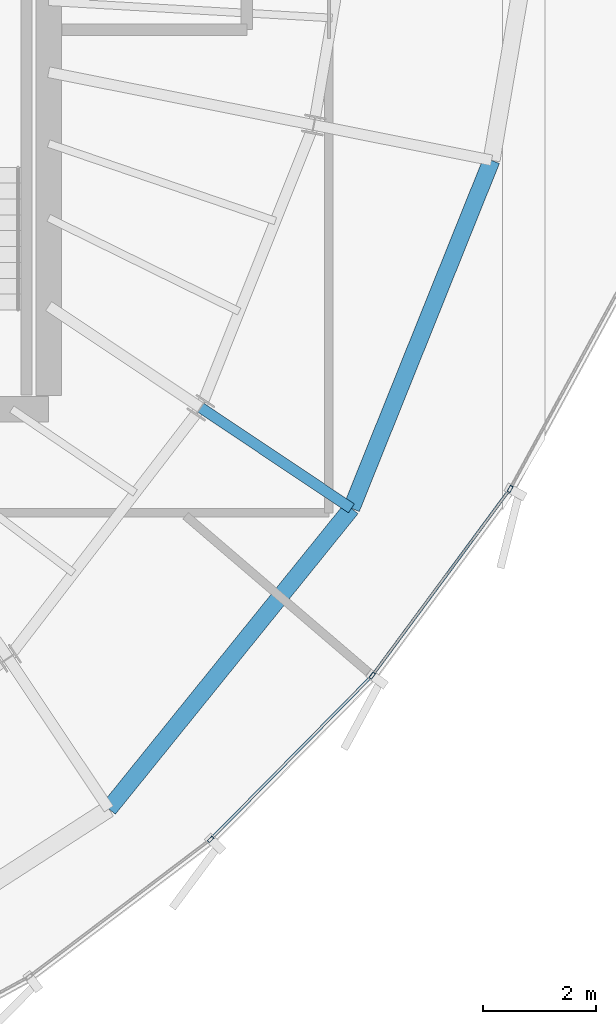
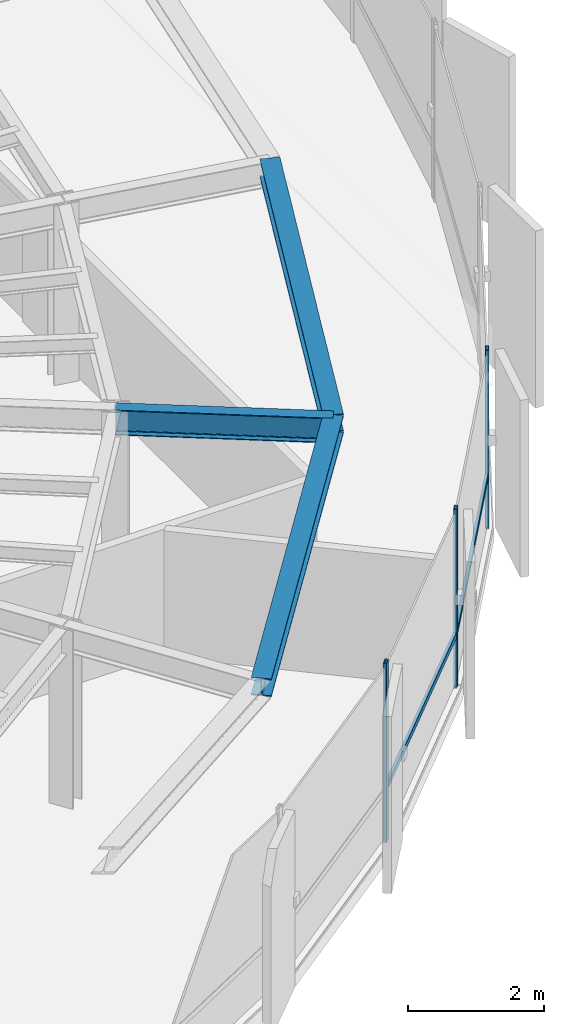
# One storey, part 13 of 33: 5 members, 3 beams, 1 element without a shape of its own.
"""IFC4 building model written with IfcOpenShell, lengths in metres."""

from ifc_helpers import new_model, si_unit, direction, frame, origin, origin_2d, place, context, subcontext, project, spatial, hollow_rectangle, i_section, extrude, source, transform, mapped, material, layer, layer_set, material_profile, profile_set, type_object, element, aggregate, save


model = new_model("IFC4")

# Units and contexts
model_context = context("Model", 3, precision=1e-05, world=origin(), true_north=direction((0.0, 1.0)))
body_context = subcontext(model_context, "Body", "Model", "MODEL_VIEW")
ifc_project = project(units=[si_unit("LENGTHUNIT", "METRE"), si_unit("AREAUNIT", "SQUARE_METRE"), si_unit("VOLUMEUNIT", "CUBIC_METRE"), si_unit("PLANEANGLEUNIT", "RADIAN"), si_unit("MASSUNIT", "GRAM", prefix="KILO"), si_unit("THERMODYNAMICTEMPERATUREUNIT", "KELVIN")], contexts=[model_context])

# Site, building, storey
site_placement = place(None, origin())
site = spatial("IfcSite", under=ifc_project, at=site_placement, CompositionType="ELEMENT")
building_placement = place(site_placement, origin())
building = spatial("IfcBuilding", under=site, at=building_placement, Name="Kethvar Cultural Tower", CompositionType="ELEMENT")
storey_placement = place(building_placement, frame((0.0, 0.0, 235.300048828125)))
storey = spatial("IfcBuildingStorey", under=building, at=storey_placement, Name="L61", CompositionType="ELEMENT", Elevation=235.300048828125)

# Beams
ifc_material_1 = material(Name="Steel S355J2", Category="steel")
ifc_material_profile_1 = material_profile(ifc_material_1, i_section(OverallWidth=0.18994140625, OverallDepth=0.449951171875, WebThickness=0.009521484375, FlangeThickness=0.0146484375, FilletRadius=0.02099609375, at=origin_2d()), Name="Steel S355J2 — IPE450")
ifc_profile_set_1 = profile_set([ifc_material_profile_1], Name="Steel S355J2 — IPE450")
beam_type_1 = type_object("IfcBeamType", Name="BM-IPE450", PredefinedType="BEAM", material=ifc_profile_set_1)
shared_shape_1 = source(origin(), body_context, "Body", "SweptSolid", [
    extrude(i_section(OverallWidth=0.18994140625, OverallDepth=0.449951171875, WebThickness=0.009521484375, FlangeThickness=0.0146484375, FilletRadius=0.02099609375, at=origin_2d()), origin(), (0.0, 0.0, 1.0), 3.199951171875),
])
beam_1_placement = place(storey_placement, frame((58.287109375, 20.12451171875, 2.98291015625), z_axis=(0.831462943996, -0.555580212716, 0.0), x_axis=(0.555580212716, 0.831462943996, 0.0)))
element("IfcBeam", 1, at=beam_1_placement, inside=storey, type_object=beam_type_1, Name="L61 Perimeter Cantilever Beam RC-15", PredefinedType="BEAM", context=body_context, shape_type="MappedRepresentation", body=[
    mapped(shared_shape_1, transform((0.0, 0.0, 0.0), scale=1.0)),
])
ifc_material_profile_2 = material_profile(ifc_material_1, i_section(OverallWidth=0.300048828125, OverallDepth=0.320068359375, WebThickness=0.011474609375, FlangeThickness=0.0205078125, FilletRadius=0.027099609375, at=origin_2d()), Name="Steel S355J2 — HEB320")
ifc_profile_set_2 = profile_set([ifc_material_profile_2], Name="Steel S355J2 — HEB320")
beam_type_2 = type_object("IfcBeamType", Name="BM-SP320", PredefinedType="SPANDREL", material=ifc_profile_set_2)
shared_shape_2 = source(origin(), body_context, "Body", "SweptSolid", [
    extrude(i_section(OverallWidth=0.300048828125, OverallDepth=0.320068359375, WebThickness=0.011474609375, FlangeThickness=0.0205078125, FilletRadius=0.027099609375, at=origin_2d()), origin(), (0.0, 0.0, 1.0), 6.8212890625),
])
beam_2_placement = place(storey_placement, frame((56.66259765625, 13.039306640625, 3.0478515625), z_axis=(0.628197971595, 0.778053538315, 0.0), x_axis=(-0.778053538315, 0.628197971595, 0.0)))
element("IfcBeam", 2, at=beam_2_placement, inside=storey, type_object=beam_type_2, Name="L61 Perimeter Spandrel Beam SP-14", PredefinedType="SPANDREL", context=body_context, shape_type="MappedRepresentation", body=[
    mapped(shared_shape_2, transform((0.0, 0.0, 0.0), scale=1.0)),
])
shared_shape_3 = source(origin(), body_context, "Body", "SweptSolid", [
    extrude(i_section(OverallWidth=0.300048828125, OverallDepth=0.320068359375, WebThickness=0.011474609375, FlangeThickness=0.0205078125, FilletRadius=0.027099609375, at=origin_2d()), origin(), (0.0, 0.0, 1.0), 6.626220703125),
])
beam_3_placement = place(storey_placement, frame((60.94775390625, 18.3466796875, 3.0478515625), z_axis=(0.373416224197, 0.927663906545, 0.0), x_axis=(-0.927663906545, 0.373416224197, 0.0)))
element("IfcBeam", 3, at=beam_3_placement, inside=storey, type_object=beam_type_2, Name="L61 Perimeter Spandrel Beam SP-15", PredefinedType="SPANDREL", context=body_context, shape_type="MappedRepresentation", body=[
    mapped(shared_shape_3, transform((0.0, 0.0, 0.0), scale=1.0)),
])

# Curtain wall, members
ifc_material_2 = material(Name="Aluminium 6063-T6", Category="aluminium")
ifc_layer = layer(ifc_material_2, 0.179931640625, Name="Aluminium 6063-T6", Category="aluminium")
ifc_layer_set = layer_set([ifc_layer], Name="Aluminium 6063-T6 (180 mm)")
curtain_wall_type = type_object("IfcCurtainWallType", Name="CW-SYS-05-Z56", PredefinedType="NOTDEFINED", material=ifc_layer_set)
curtain_wall_placement = place(storey_placement, origin())
curtain_wall = element("IfcCurtainWall", 4, at=curtain_wall_placement, inside=storey, type_object=curtain_wall_type, Name="L61 Curtain Wall Run 05", PredefinedType="NOTDEFINED")
ifc_material_profile_3 = material_profile(ifc_material_2, hollow_rectangle(XDim=0.054931640625, YDim=0.1201171875, WallThickness=0.00390625, at=origin_2d()), Name="Aluminium 6063-T6 — RHS120x55x4")
ifc_profile_set_3 = profile_set([ifc_material_profile_3], Name="Aluminium 6063-T6 — RHS120x55x4")
member_type_1 = type_object("IfcMemberType", Name="CW-SYS-05-Z56-MUL", PredefinedType="MULLION", material=ifc_profile_set_3)
shared_shape_4 = source(origin(), body_context, "Body", "SweptSolid", [
    extrude(hollow_rectangle(XDim=0.054931640625, YDim=0.1201171875, WallThickness=0.00390625, at=origin_2d()), origin(), (0.0, 0.0, 1.0), 3.2099609375),
])
member_1_placement = place(storey_placement, frame((58.462158203125, 12.501953125, 0.0), z_axis=(0.0, 0.0, 1.0), x_axis=(-0.711989280367, 0.702190333629, 0.0)))
member_1 = element("IfcMember", 5, at=member_1_placement, type_object=member_type_1, Name="CW-L61-R05 Mullion 3", PredefinedType="MULLION", context=body_context, shape_type="MappedRepresentation", body=[
    mapped(shared_shape_4, transform((0.0, 0.0, 0.0), scale=1.0)),
])
member_2_placement = place(storey_placement, frame((61.315185546875, 15.393310546875, 0.0), z_axis=(0.0, 0.0, 1.0), x_axis=(-0.804551879129, 0.593882373699, 0.0)))
member_2 = element("IfcMember", 6, at=member_2_placement, type_object=member_type_1, Name="CW-L61-R05 Mullion 4", PredefinedType="MULLION", context=body_context, shape_type="MappedRepresentation", body=[
    mapped(shared_shape_4, transform((0.0, 0.0, 0.0), scale=1.0)),
])
member_3_placement = place(storey_placement, frame((63.749755859375, 18.689697265625, 0.0), z_axis=(0.0, 0.0, 1.0), x_axis=(-0.878233497535, 0.478232081533, 0.0)))
member_3 = element("IfcMember", 7, at=member_3_placement, type_object=member_type_1, Name="CW-L61-R05 Mullion 5", PredefinedType="MULLION", context=body_context, shape_type="MappedRepresentation", body=[
    mapped(shared_shape_4, transform((0.0, 0.0, 0.0), scale=1.0)),
])
ifc_material_profile_4 = material_profile(ifc_material_2, hollow_rectangle(XDim=0.050048828125, YDim=0.10009765625, WallThickness=0.00390625, at=origin_2d()), Name="Aluminium 6063-T6 — RHS100x50x4")
ifc_profile_set_4 = profile_set([ifc_material_profile_4], Name="Aluminium 6063-T6 — RHS100x50x4")
member_type_2 = type_object("IfcMemberType", Name="CW-SYS-05-Z56-TRN", PredefinedType="USERDEFINED", material=ifc_profile_set_4)
shared_shape_5 = source(origin(), body_context, "Body", "SweptSolid", [
    extrude(hollow_rectangle(XDim=0.050048828125, YDim=0.10009765625, WallThickness=0.00390625, at=origin_2d()), origin(), (0.0, 0.0, 1.0), 4.0322265625),
])
member_4_placement = place(storey_placement, frame((61.3388671875, 15.42529296875, 0.949951171875), z_axis=(0.593859762609, 0.804568569081, 0.0), x_axis=(-0.804568569081, 0.593859762609, 0.0)))
member_4 = element("IfcMember", 8, at=member_4_placement, type_object=member_type_2, Name="CW-L61-R05 Transom 4", ObjectType="TRANSOM", PredefinedType="USERDEFINED", context=body_context, shape_type="MappedRepresentation", body=[
    mapped(shared_shape_5, transform((0.0, 0.0, 0.0), scale=1.0)),
])
shared_shape_6 = source(origin(), body_context, "Body", "SweptSolid", [
    extrude(hollow_rectangle(XDim=0.050048828125, YDim=0.10009765625, WallThickness=0.00390625, at=origin_2d()), origin(), (0.0, 0.0, 1.0), 3.997314453125),
])
member_5_placement = place(storey_placement, frame((58.489990234375, 12.530029296875, 0.949951171875), z_axis=(0.702203728893, 0.71197606921, 0.0), x_axis=(-0.71197606921, 0.702203728893, 0.0)))
member_5 = element("IfcMember", 9, at=member_5_placement, type_object=member_type_2, Name="CW-L61-R05 Transom 3", ObjectType="TRANSOM", PredefinedType="USERDEFINED", context=body_context, shape_type="MappedRepresentation", body=[
    mapped(shared_shape_6, transform((0.0, 0.0, 0.0), scale=1.0)),
])
aggregate(curtain_wall, [member_1, member_2, member_3, member_5, member_4])

save(model, "model.ifc")
